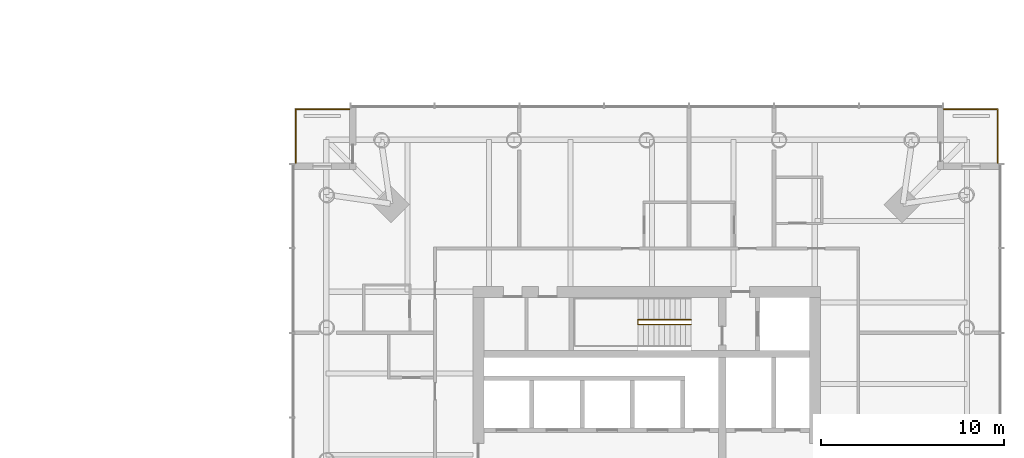
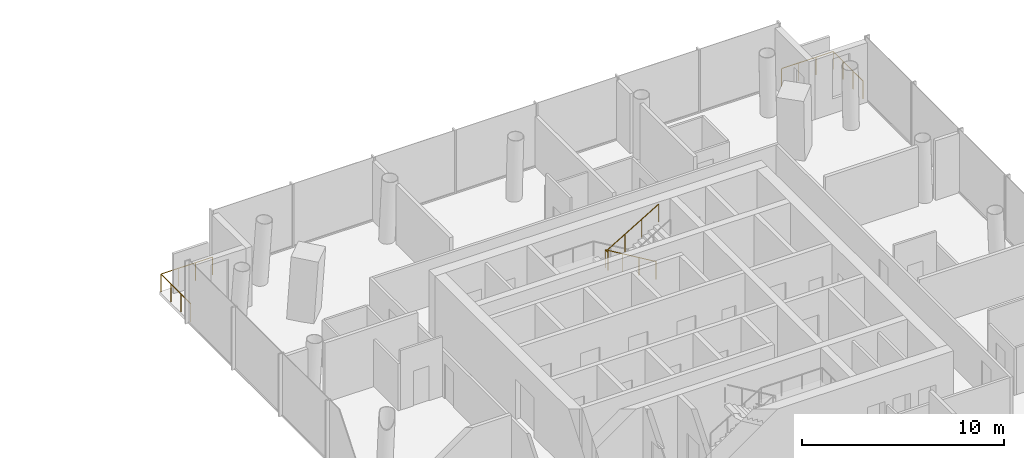
# One storey, part 18 of 18: 3 railings.
"""IFC4 building model written with IfcOpenShell, lengths in metres."""

from ifc_helpers import new_model, si_unit, direction, frame, origin, origin_2d, place, context, subcontext, project, spatial, circle, extrude, material, type_object, element, save


model = new_model("IFC4")

# Units and contexts
model_context = context("Model", 3, precision=1e-05, world=origin(), true_north=direction((0.0, 1.0)))
body_context = subcontext(model_context, "Body", "Model", "MODEL_VIEW")
ifc_project = project(units=[si_unit("LENGTHUNIT", "METRE"), si_unit("AREAUNIT", "SQUARE_METRE"), si_unit("VOLUMEUNIT", "CUBIC_METRE"), si_unit("PLANEANGLEUNIT", "RADIAN"), si_unit("MASSUNIT", "GRAM", prefix="KILO")], contexts=[model_context])

# Site, building, storey
site_placement = place(None, origin())
site = spatial("IfcSite", under=ifc_project, at=site_placement, CompositionType="ELEMENT")
building_placement = place(site_placement, origin())
building = spatial("IfcBuilding", under=site, at=building_placement, Name="Ostroluk Exchange", CompositionType="ELEMENT")
storey_placement = place(building_placement, frame((0.0, 0.0, 55.199951171875)))
storey = spatial("IfcBuildingStorey", under=building, at=storey_placement, Name="L13", CompositionType="ELEMENT", Elevation=55.199951171875)

# Railings
ifc_material_1 = material(Name="Stainless steel", Category="steel")
railing_type_1 = type_object("IfcRailingType", Name="Guard 1100 stainless steel", PredefinedType="GUARDRAIL", material=ifc_material_1)
railing_1_placement = place(storey_placement, frame((133.25, 65.199951171875, 0.0)))
element("IfcRailing", 1, at=railing_1_placement, inside=storey, type_object=railing_type_1, Name="Hotel tower NE balcony guard L13", PredefinedType="GUARDRAIL", context=body_context, shape_type="SweptSolid", body=[
    extrude(circle(Radius=0.02392578125, at=origin_2d()), frame((0.0, 0.0, 1.076171875), z_axis=(1.0, 0.0, 0.0), x_axis=(0.0, 1.0, 0.0)), (0.0, 0.0, 1.0), 2.949951171875),
    extrude(circle(Radius=0.02392578125, at=origin_2d()), frame((2.949951171875, 0.0, 1.076171875), z_axis=(0.0, -1.0, 0.0), x_axis=(1.0, 0.0, 0.0)), (0.0, 0.0, 1.0), 2.949951171875),
    extrude(circle(Radius=0.02099609375, at=origin_2d()), origin(), (0.0, 0.0, 1.0), 1.052001953125),
    extrude(circle(Radius=0.02099609375, at=origin_2d()), frame((0.9833984375, 0.0, 0.0)), (0.0, 0.0, 1.0), 1.052001953125),
    extrude(circle(Radius=0.02099609375, at=origin_2d()), frame((1.966552734375, 0.0, 0.0)), (0.0, 0.0, 1.0), 1.052001953125),
    extrude(circle(Radius=0.02099609375, at=origin_2d()), frame((2.949951171875, 0.0, 0.0)), (0.0, 0.0, 1.0), 1.052001953125),
    extrude(circle(Radius=0.02099609375, at=origin_2d()), frame((2.949951171875, -0.9833984375, 0.0)), (0.0, 0.0, 1.0), 1.052001953125),
    extrude(circle(Radius=0.02099609375, at=origin_2d()), frame((2.949951171875, -1.966552734375, 0.0)), (0.0, 0.0, 1.0), 1.052001953125),
    extrude(circle(Radius=0.02099609375, at=origin_2d()), frame((2.949951171875, -2.949951171875, 0.0)), (0.0, 0.0, 1.0), 1.052001953125),
])
railing_2_placement = place(storey_placement, frame((100.75, 65.199951171875, 0.0)))
element("IfcRailing", 2, at=railing_2_placement, inside=storey, type_object=railing_type_1, Name="Hotel tower NW balcony guard L13", PredefinedType="GUARDRAIL", context=body_context, shape_type="SweptSolid", body=[
    extrude(circle(Radius=0.02392578125, at=origin_2d()), frame((0.0, 0.0, 1.076171875), z_axis=(-1.0, 0.0, 0.0), x_axis=(0.0, -1.0, 0.0)), (0.0, 0.0, 1.0), 2.949951171875),
    extrude(circle(Radius=0.02392578125, at=origin_2d()), frame((-2.949951171875, 0.0, 1.076171875), z_axis=(0.0, -1.0, 0.0), x_axis=(1.0, 0.0, 0.0)), (0.0, 0.0, 1.0), 2.949951171875),
    extrude(circle(Radius=0.02099609375, at=origin_2d()), origin(), (0.0, 0.0, 1.0), 1.052001953125),
    extrude(circle(Radius=0.02099609375, at=origin_2d()), frame((-0.9833984375, 0.0, 0.0)), (0.0, 0.0, 1.0), 1.052001953125),
    extrude(circle(Radius=0.02099609375, at=origin_2d()), frame((-1.966552734375, 0.0, 0.0)), (0.0, 0.0, 1.0), 1.052001953125),
    extrude(circle(Radius=0.02099609375, at=origin_2d()), frame((-2.949951171875, 0.0, 0.0)), (0.0, 0.0, 1.0), 1.052001953125),
    extrude(circle(Radius=0.02099609375, at=origin_2d()), frame((-2.949951171875, -0.9833984375, 0.0)), (0.0, 0.0, 1.0), 1.052001953125),
    extrude(circle(Radius=0.02099609375, at=origin_2d()), frame((-2.949951171875, -1.966552734375, 0.0)), (0.0, 0.0, 1.0), 1.052001953125),
    extrude(circle(Radius=0.02099609375, at=origin_2d()), frame((-2.949951171875, -2.949951171875, 0.0)), (0.0, 0.0, 1.0), 1.052001953125),
])
ifc_material_2 = material(Name="Steel S355", Category="steel")
railing_type_2 = type_object("IfcRailingType", Name="Stair guard 1100", PredefinedType="GUARDRAIL", material=ifc_material_2)
railing_3_placement = place(storey_placement, frame((119.429931640625, 53.679931640625, 0.1728515625)))
element("IfcRailing", 3, at=railing_3_placement, inside=storey, type_object=railing_type_2, Name="Stair T2-S2 guard L13", PredefinedType="GUARDRAIL", context=body_context, shape_type="SweptSolid", body=[
    extrude(circle(Radius=0.02392578125, at=origin_2d()), frame((0.0, 0.0, 1.076171875), z_axis=(-0.859141464434, 0.0, 0.511738159696), x_axis=(0.0, -1.0, 0.0)), (0.0, 0.0, 1.0), 3.375244140625),
    extrude(circle(Radius=0.02392578125, at=origin_2d()), frame((-2.89990234375, 0.0, 2.80322265625), z_axis=(0.0, -1.0, 0.0), x_axis=(1.0, 0.0, 0.0)), (0.0, 0.0, 1.0), 0.260009765625),
    extrude(circle(Radius=0.02392578125, at=origin_2d()), frame((-2.89990234375, -0.260009765625, 2.80322265625), z_axis=(0.0, 0.0, 1.0), x_axis=(1.0, 0.0, 0.0)), (0.0, 0.0, 1.0), 0.172607421875),
    extrude(circle(Radius=0.02392578125, at=origin_2d()), frame((-2.89990234375, -0.260009765625, 2.97607421875), z_axis=(0.859141464434, 0.0, 0.511738159696), x_axis=(0.0, 1.0, 0.0)), (0.0, 0.0, 1.0), 3.375244140625),
    extrude(circle(Radius=0.02099609375, at=origin_2d()), origin(), (0.0, 0.0, 1.0), 1.052001953125),
    extrude(circle(Radius=0.02099609375, at=origin_2d()), frame((-0.966552734375, 0.0, 0.57568359375)), (0.0, 0.0, 1.0), 1.052001953125),
    extrude(circle(Radius=0.02099609375, at=origin_2d()), frame((-1.933349609375, 0.0, 1.151611328125)), (0.0, 0.0, 1.0), 1.052001953125),
    extrude(circle(Radius=0.02099609375, at=origin_2d()), frame((-2.89990234375, 0.0, 1.727294921875)), (0.0, 0.0, 1.0), 1.052001953125),
    extrude(circle(Radius=0.02099609375, at=origin_2d()), frame((-2.89990234375, -0.260009765625, 1.727294921875)), (0.0, 0.0, 1.0), 1.052001953125),
    extrude(circle(Radius=0.02099609375, at=origin_2d()), frame((-2.89990234375, -0.260009765625, 1.89990234375)), (0.0, 0.0, 1.0), 1.052001953125),
    extrude(circle(Radius=0.02099609375, at=origin_2d()), frame((-1.933349609375, -0.260009765625, 2.4755859375)), (0.0, 0.0, 1.0), 1.052001953125),
    extrude(circle(Radius=0.02099609375, at=origin_2d()), frame((-0.966552734375, -0.260009765625, 3.051513671875)), (0.0, 0.0, 1.0), 1.052001953125),
    extrude(circle(Radius=0.02099609375, at=origin_2d()), frame((0.0, -0.260009765625, 3.627197265625)), (0.0, 0.0, 1.0), 1.052001953125),
])

save(model, "model.ifc")
